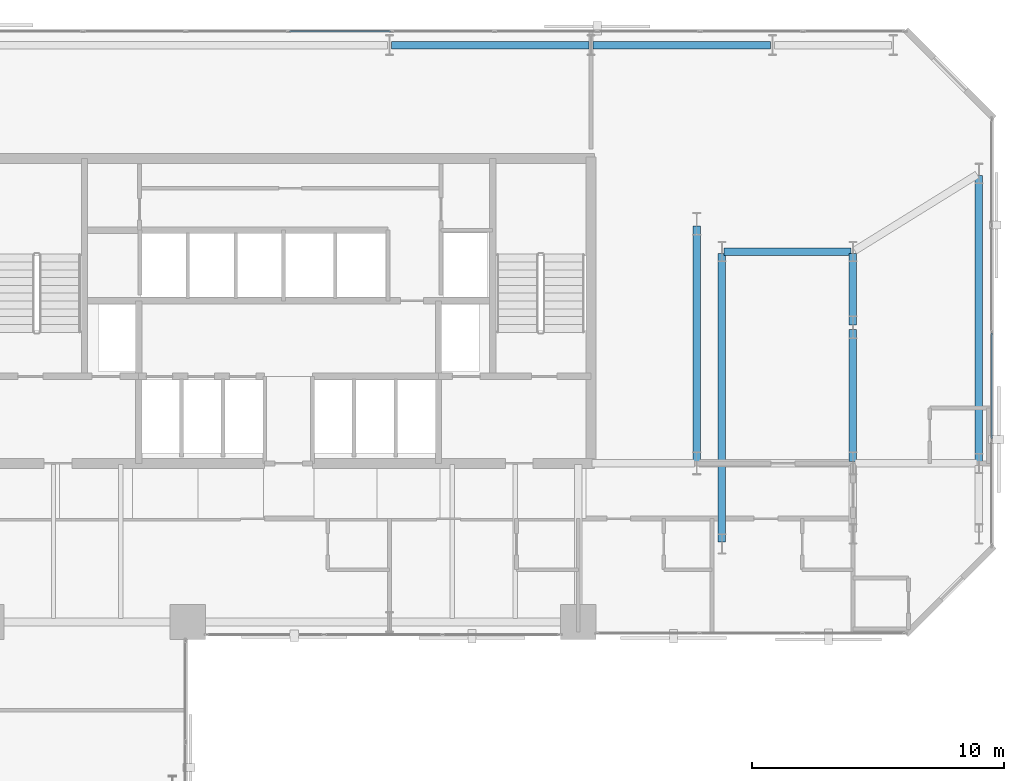
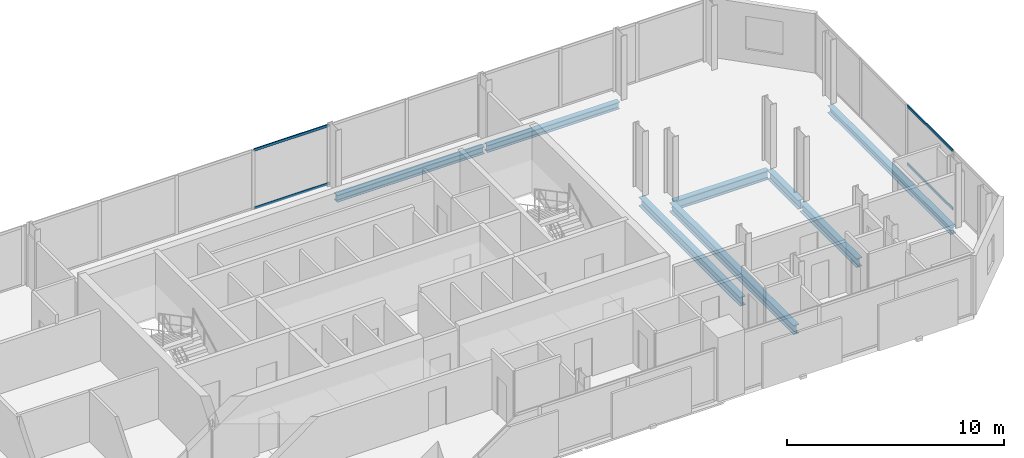
# One storey, part 24 of 33: 8 beams, 4 members, 2 elements without a shape of their own.
"""IFC4 building model written with IfcOpenShell, lengths in metres."""

from ifc_helpers import new_model, si_unit, direction, frame, origin, origin_2d, place, context, subcontext, project, spatial, hollow_rectangle, i_section, extrude, material, layer, layer_set, material_profile, profile_set, type_object, element, aggregate, save


model = new_model("IFC4")

# Units and contexts
model_context = context("Model", 3, precision=1e-05, world=origin(), true_north=direction((0.0, 1.0)))
body_context = subcontext(model_context, "Body", "Model", "MODEL_VIEW")
ifc_project = project(units=[si_unit("LENGTHUNIT", "METRE"), si_unit("AREAUNIT", "SQUARE_METRE"), si_unit("VOLUMEUNIT", "CUBIC_METRE"), si_unit("PLANEANGLEUNIT", "RADIAN"), si_unit("MASSUNIT", "GRAM", prefix="KILO")], contexts=[model_context])

# Site, building, storey
site_placement = place(None, origin())
site = spatial("IfcSite", under=ifc_project, at=site_placement, CompositionType="ELEMENT")
building_placement = place(site_placement, origin())
building = spatial("IfcBuilding", under=site, at=building_placement, Name="Catumbela Crestline Tower", CompositionType="ELEMENT")
storey_placement = place(building_placement, frame((0.0, 0.0, 58.2)))
storey = spatial("IfcBuildingStorey", under=building, at=storey_placement, Name="L14", CompositionType="ELEMENT", Elevation=58.2)

# Beams
ifc_material_1 = material(Name="Structural steel S355J2", Category="steel")
ifc_material_profile_1 = material_profile(ifc_material_1, i_section(OverallWidth=0.3, OverallDepth=0.5, WebThickness=0.0145, FlangeThickness=0.028, FilletRadius=0.027, at=origin_2d()), Name="HEB 500")
ifc_profile_set_1 = profile_set([ifc_material_profile_1], Name="Structural steel S355J2")
beam_type_1 = type_object("IfcBeamType", Name="BG-HEB500", PredefinedType="BEAM", material=ifc_profile_set_1)
beam_1_placement = place(storey_placement, frame((45.28, 39.2, -0.51), z_axis=(1.0, 0.0, 0.0), x_axis=(0.0, 1.0, 0.0)))
element("IfcBeam", 1, at=beam_1_placement, inside=storey, type_object=beam_type_1, Name="L14 Beam BM-L14-N17", PredefinedType="BEAM", context=body_context, shape_type="SweptSolid", body=[
    extrude(i_section(OverallWidth=0.3, OverallDepth=0.5, WebThickness=0.0145, FlangeThickness=0.028, FilletRadius=0.027, at=origin_2d()), origin(), (0.0, 0.0, 1.0), 5.04),
])
beam_2_placement = place(storey_placement, frame((44.2, 30.88, -0.51), z_axis=(0.0, 1.0, 0.0), x_axis=(-1.0, 0.0, 0.0)))
element("IfcBeam", 2, at=beam_2_placement, inside=storey, type_object=beam_type_1, Name="L14 Beam BM-L14-SN35", PredefinedType="BEAM", context=body_context, shape_type="SweptSolid", body=[
    extrude(i_section(OverallWidth=0.3, OverallDepth=0.5, WebThickness=0.0145, FlangeThickness=0.028, FilletRadius=0.027, at=origin_2d()), origin(), (0.0, 0.0, 1.0), 9.34),
])
beam_3_placement = place(storey_placement, frame((45.2, 27.68, -0.51), z_axis=(0.0, 1.0, 0.0), x_axis=(-1.0, 0.0, 0.0)))
element("IfcBeam", 3, at=beam_3_placement, inside=storey, type_object=beam_type_1, Name="L14 Beam BM-L14-SN36", PredefinedType="BEAM", context=body_context, shape_type="SweptSolid", body=[
    extrude(i_section(OverallWidth=0.3, OverallDepth=0.5, WebThickness=0.0145, FlangeThickness=0.028, FilletRadius=0.027, at=origin_2d()), origin(), (0.0, 0.0, 1.0), 11.44),
])
beam_4_placement = place(storey_placement, frame((50.4, 30.88, -0.51), z_axis=(0.0, 1.0, 0.0), x_axis=(-1.0, 0.0, 0.0)))
element("IfcBeam", 4, at=beam_4_placement, inside=storey, type_object=beam_type_1, Name="L14 Beam BM-L14-SN38", PredefinedType="BEAM", context=body_context, shape_type="SweptSolid", body=[
    extrude(i_section(OverallWidth=0.3, OverallDepth=0.5, WebThickness=0.0145, FlangeThickness=0.028, FilletRadius=0.027, at=origin_2d()), origin(), (0.0, 0.0, 1.0), 5.24),
])
beam_5_placement = place(storey_placement, frame((50.4, 36.28, -0.51), z_axis=(0.0, 1.0, 0.0), x_axis=(-1.0, 0.0, 0.0)))
element("IfcBeam", 5, at=beam_5_placement, inside=storey, type_object=beam_type_1, Name="L14 Beam BM-L14-SN39", PredefinedType="BEAM", context=body_context, shape_type="SweptSolid", body=[
    extrude(i_section(OverallWidth=0.3, OverallDepth=0.5, WebThickness=0.0145, FlangeThickness=0.028, FilletRadius=0.027, at=origin_2d()), origin(), (0.0, 0.0, 1.0), 2.84),
])
ifc_material_profile_2 = material_profile(ifc_material_1, i_section(OverallWidth=0.3, OverallDepth=0.39, WebThickness=0.011, FlangeThickness=0.019, FilletRadius=0.027, at=origin_2d()), Name="HEA 400")
ifc_profile_set_2 = profile_set([ifc_material_profile_2], Name="Structural steel S355J2")
beam_type_2 = type_object("IfcBeamType", Name="BS-HEA400", PredefinedType="SPANDREL", material=ifc_profile_set_2)
beam_6_placement = place(storey_placement, frame((32.08, 47.4, -0.455), z_axis=(1.0, 0.0, 0.0), x_axis=(0.0, 1.0, 0.0)))
element("IfcBeam", 6, at=beam_6_placement, inside=storey, type_object=beam_type_2, Name="L14 Spandrel SP-L14-NF22", PredefinedType="SPANDREL", context=body_context, shape_type="SweptSolid", body=[
    extrude(i_section(OverallWidth=0.3, OverallDepth=0.39, WebThickness=0.011, FlangeThickness=0.019, FilletRadius=0.027, at=origin_2d()), origin(), (0.0, 0.0, 1.0), 7.84),
])
beam_7_placement = place(storey_placement, frame((40.08, 47.4, -0.455), z_axis=(1.0, 0.0, 0.0), x_axis=(0.0, 1.0, 0.0)))
element("IfcBeam", 7, at=beam_7_placement, inside=storey, type_object=beam_type_2, Name="L14 Spandrel SP-L14-NF23", PredefinedType="SPANDREL", context=body_context, shape_type="SweptSolid", body=[
    extrude(i_section(OverallWidth=0.3, OverallDepth=0.39, WebThickness=0.011, FlangeThickness=0.019, FilletRadius=0.027, at=origin_2d()), origin(), (0.0, 0.0, 1.0), 7.04),
])
beam_8_placement = place(storey_placement, frame((55.4, 30.88, -0.455), z_axis=(0.0, 1.0, 0.0), x_axis=(-1.0, 0.0, 0.0)))
element("IfcBeam", 8, at=beam_8_placement, inside=storey, type_object=beam_type_2, Name="L14 Spandrel SP-L14-SN41", PredefinedType="SPANDREL", context=body_context, shape_type="SweptSolid", body=[
    extrude(i_section(OverallWidth=0.3, OverallDepth=0.39, WebThickness=0.011, FlangeThickness=0.019, FilletRadius=0.027, at=origin_2d()), origin(), (0.0, 0.0, 1.0), 11.34),
])

# Curtain wall, members
ifc_material_2 = material(Name="Aluminium alloy AW-6060-T66", Category="aluminium")
ifc_layer = layer(ifc_material_2, 0.18, Name="Aluminium alloy AW-6060-T66")
ifc_layer_set = layer_set([ifc_layer], Name="Aluminium alloy AW-6060-T66")
curtain_wall_type = type_object("IfcCurtainWallType", Name="CWU-Z1", PredefinedType="USERDEFINED", material=ifc_layer_set)
curtain_wall_1_placement = place(storey_placement, origin())
curtain_wall_1 = element("IfcCurtainWall", 9, at=curtain_wall_1_placement, inside=storey, type_object=curtain_wall_type, Name="L14 Unitised Curtain Wall CW-L14-E5S1", ObjectType="UNITISED", PredefinedType="USERDEFINED")
ifc_material_profile_3 = material_profile(ifc_material_2, hollow_rectangle(XDim=0.06, YDim=0.14, WallThickness=0.004, at=origin_2d()), Name="ALU 140x60x4")
ifc_profile_set_3 = profile_set([ifc_material_profile_3], Name="Aluminium alloy AW-6060-T66")
member_type = type_object("IfcMemberType", Name="TRN-140X60", PredefinedType="USERDEFINED", material=ifc_profile_set_3)
member_1_placement = place(storey_placement, frame((55.9, 31.7825, 0.03), z_axis=(0.0, 1.0, 0.0), x_axis=(-1.0, 0.0, 0.0)))
member_1 = element("IfcMember", 10, at=member_1_placement, type_object=member_type, Name="CWU-Z1 transom 2.1", ObjectType="TRANSOM", PredefinedType="USERDEFINED", context=body_context, shape_type="SweptSolid", body=[
    extrude(hollow_rectangle(XDim=0.06, YDim=0.14, WallThickness=0.004, at=origin_2d()), origin(), (0.0, 0.0, 1.0), 4.185),
])
member_2_placement = place(storey_placement, frame((55.9, 31.7825, 3.3), z_axis=(0.0, 1.0, 0.0), x_axis=(-1.0, 0.0, 0.0)))
member_2 = element("IfcMember", 11, at=member_2_placement, type_object=member_type, Name="CWU-Z1 transom 2.2", ObjectType="TRANSOM", PredefinedType="USERDEFINED", context=body_context, shape_type="SweptSolid", body=[
    extrude(hollow_rectangle(XDim=0.06, YDim=0.14, WallThickness=0.004, at=origin_2d()), origin(), (0.0, 0.0, 1.0), 4.185),
])
aggregate(curtain_wall_1, [member_1, member_2])

curtain_wall_2_placement = place(storey_placement, origin())
curtain_wall_2 = element("IfcCurtainWall", 12, at=curtain_wall_2_placement, inside=storey, type_object=curtain_wall_type, Name="L14 Unitised Curtain Wall CW-L14-E7S1", ObjectType="UNITISED", PredefinedType="USERDEFINED")
member_3_placement = place(storey_placement, frame((32.0508, 47.95, 0.03), z_axis=(-1.0, 0.0, 0.0), x_axis=(0.0, -1.0, 0.0)))
member_3 = element("IfcMember", 13, at=member_3_placement, type_object=member_type, Name="CWU-Z1 transom 6.1", ObjectType="TRANSOM", PredefinedType="USERDEFINED", context=body_context, shape_type="SweptSolid", body=[
    extrude(hollow_rectangle(XDim=0.06, YDim=0.14, WallThickness=0.004, at=origin_2d()), origin(), (0.0, 0.0, 1.0), 4.0183),
])
member_4_placement = place(storey_placement, frame((32.0508, 47.95, 3.3), z_axis=(-1.0, 0.0, 0.0), x_axis=(0.0, -1.0, 0.0)))
member_4 = element("IfcMember", 14, at=member_4_placement, type_object=member_type, Name="CWU-Z1 transom 6.2", ObjectType="TRANSOM", PredefinedType="USERDEFINED", context=body_context, shape_type="SweptSolid", body=[
    extrude(hollow_rectangle(XDim=0.06, YDim=0.14, WallThickness=0.004, at=origin_2d()), origin(), (0.0, 0.0, 1.0), 4.0183),
])
aggregate(curtain_wall_2, [member_3, member_4])

save(model, "model.ifc")
